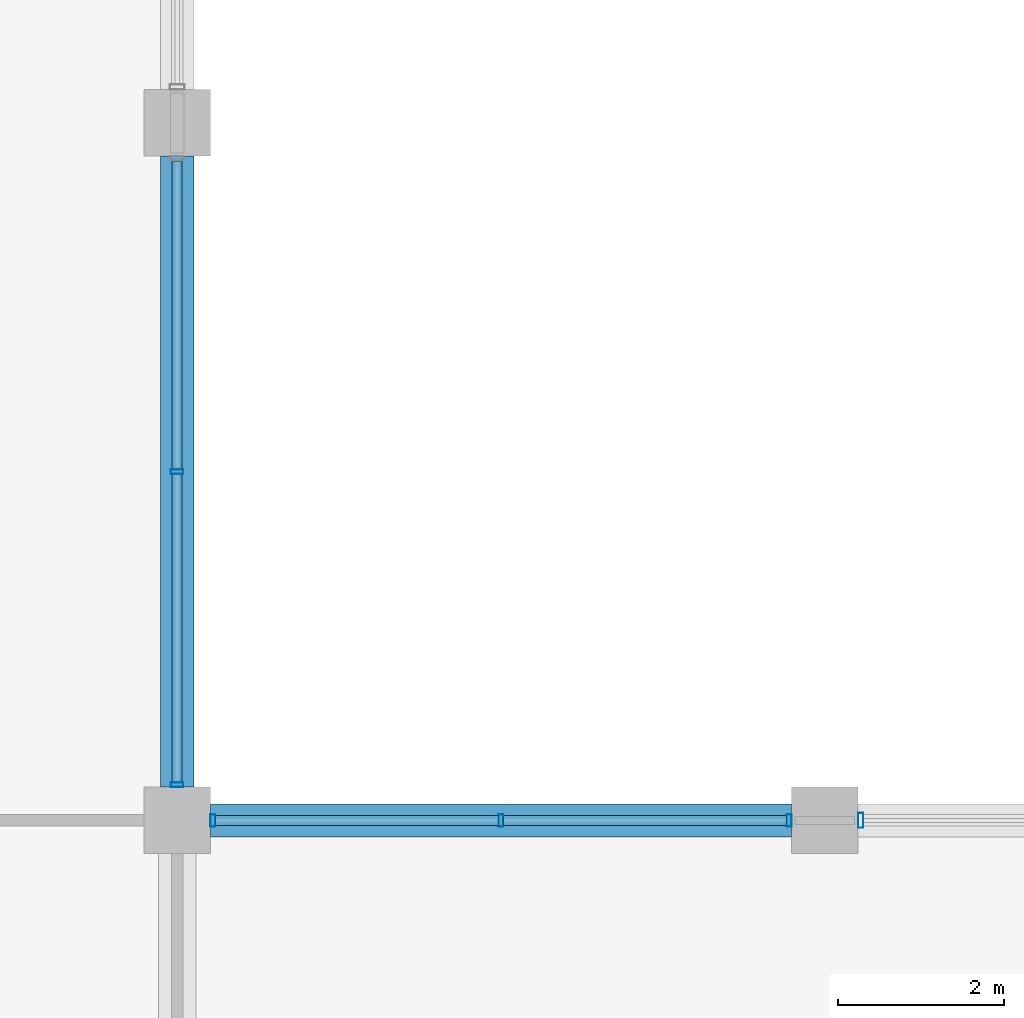
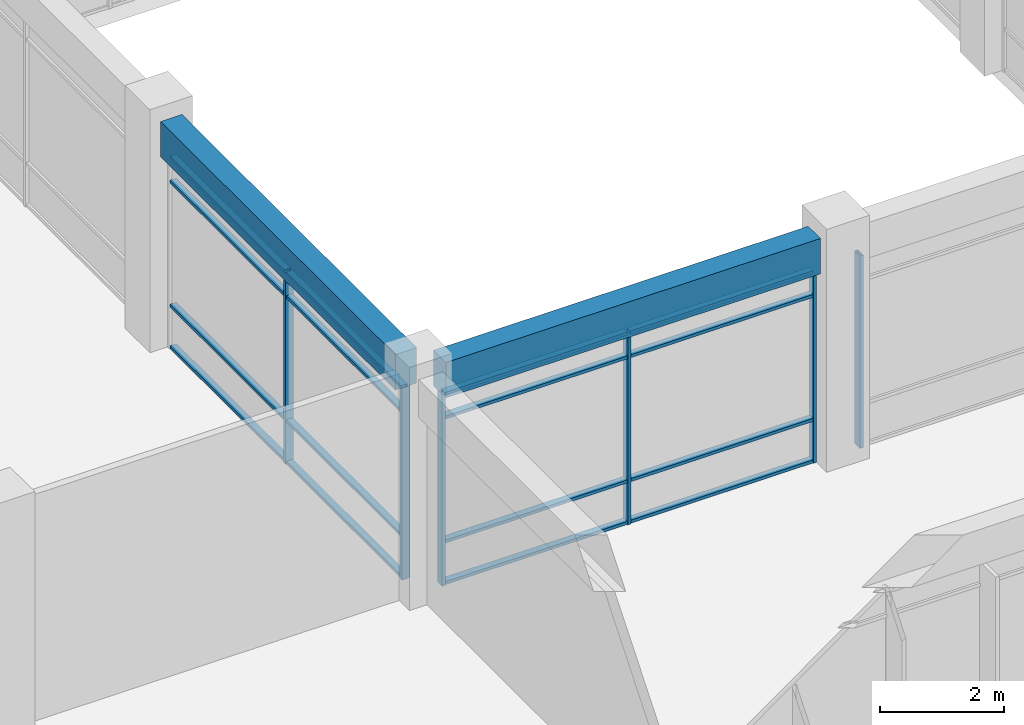
# One storey, part 13 of 62: 22 members, 2 beams, 3 elements without a shape of their own.
"""IFC4 building model written with IfcOpenShell, lengths in metres."""

import ifcopenshell
import ifcopenshell.guid

model = None  # the IFC model being written
_history = None  # IfcOwnerHistory: only IFC2X3 demands one
_inside = {}  # id of a spatial element -> (the spatial element, [elements in it])
_under = {}  # id of a project, library or spatial element -> (it, [spatial elements below it])
_declared = {}  # id of a project -> (the project, [libraries it declares])
_typed = {}  # id of a type object -> (the type object, [elements of that type])
_made_of = {}  # id of a material, layer set ... -> (it, [elements and type objects made of it])


def new_model(schema):
    """Start an empty IFC model of exactly this schema.

    Asked for "IFC4X3", IfcOpenShell would pick the latest addendum, in which some entities
    have other attributes; the version numbers below select the first issue.
    IFC2X3 requires an IfcOwnerHistory on every rooted entity: one is made here for all.
    """
    global model, _history
    if schema == "IFC4X3":
        model = ifcopenshell.file(schema_version=(4, 3, 0, 0))
    else:
        model = ifcopenshell.file(schema=schema)
    _inside.clear()
    _under.clear()
    _declared.clear()
    _typed.clear()
    _made_of.clear()
    _history = None
    if model.schema == "IFC2X3":
        org = make("IfcOrganization", Name="unknown")
        user = make(
            "IfcPersonAndOrganization",
            ThePerson=make("IfcPerson", FamilyName="unknown"),
            TheOrganization=org,
        )
        app = make(
            "IfcApplication",
            ApplicationDeveloper=org,
            Version="unknown",
            ApplicationFullName="unknown",
            ApplicationIdentifier="unknown",
        )
        _history = make(
            "IfcOwnerHistory",
            OwningUser=user,
            OwningApplication=app,
            ChangeAction="ADDED",
            CreationDate=0,
        )
    return model


def make(cls, **values):
    """One entity of the class cls with the attributes given. An attribute that is None is left unset."""
    return model.create_entity(
        cls, **{name: value for name, value in values.items() if value is not None}
    )


def rooted(cls, **values):
    """An entity with a GlobalId (a new one), such as an element, a storey or a relation."""
    return make(cls, GlobalId=ifcopenshell.guid.new(), OwnerHistory=_history, **values)


def si_unit(unit_type, name, prefix=None):
    """IfcSIUnit, for example si_unit("LENGTHUNIT", "METRE", prefix="MILLI")."""
    return make("IfcSIUnit", UnitType=unit_type, Prefix=prefix, Name=name)


def assignment(units):
    """IfcUnitAssignment: the units of a project."""
    return None if units is None else make("IfcUnitAssignment", Units=units)


def point(xyz):
    """IfcCartesianPoint."""
    return None if xyz is None else make("IfcCartesianPoint", Coordinates=xyz)


def direction(xyz):
    """IfcDirection."""
    return None if xyz is None else make("IfcDirection", DirectionRatios=xyz)


def frame(location, z_axis=None, x_axis=None):
    """IfcAxis2Placement3D, a coordinate frame: its origin and axes. An axis left out is left unset."""
    return make(
        "IfcAxis2Placement3D",
        Location=point(location),
        Axis=direction(z_axis),
        RefDirection=direction(x_axis),
    )


def frame_2d(location, x_axis=None):
    """IfcAxis2Placement2D, a coordinate frame in the plane: its origin and x axis."""
    return make(
        "IfcAxis2Placement2D", Location=point(location), RefDirection=direction(x_axis)
    )


def origin():
    """The frame at (0, 0, 0) with its axes left unset."""
    return frame((0.0, 0.0, 0.0))


def origin_2d():
    """The frame at (0, 0) in the plane with its x axis left unset."""
    return frame_2d((0.0, 0.0))


def place(relative_to, where):
    """IfcLocalPlacement: puts the frame where relative to a parent placement (None: the world)."""
    return make(
        "IfcLocalPlacement", PlacementRelTo=relative_to, RelativePlacement=where
    )


def context(
    kind, dimensions, precision=None, world=None, true_north=None, identifier=None
):
    """IfcGeometricRepresentationContext, for example the 3D "Model" context."""
    return make(
        "IfcGeometricRepresentationContext",
        ContextIdentifier=identifier,
        ContextType=kind,
        CoordinateSpaceDimension=dimensions,
        Precision=precision,
        WorldCoordinateSystem=world,
        TrueNorth=true_north,
    )


def subcontext(parent, identifier, kind, view, scale=None):
    """IfcGeometricRepresentationSubContext, for example "Body" below "Model"."""
    return make(
        "IfcGeometricRepresentationSubContext",
        ContextIdentifier=identifier,
        ContextType=kind,
        ParentContext=parent,
        TargetScale=scale,
        TargetView=view,
    )


def project(units=None, contexts=None):
    """IfcProject with its units and contexts."""
    return rooted(
        "IfcProject",
        Name="project",
        RepresentationContexts=contexts,
        UnitsInContext=assignment(units),
    )


def spatial(cls, under=None, at=None, **own):
    """A site, building, storey or space (cls), placed at a placement, below another one or the project."""
    s = rooted(cls, ObjectPlacement=at, **own)
    if under is not None:
        _under.setdefault(under.id(), (under, []))[1].append(s)
    return s


def profile(cls, at=None, kind="AREA", **sizes):
    """A parametric profile (cls). Its sizes go by their IFC names, for example OverallWidth=200.0."""
    return make(cls, ProfileType=kind, Position=at, **sizes)


def rectangle(**sizes):
    """IfcRectangleProfileDef."""
    return profile("IfcRectangleProfileDef", **sizes)


def hollow_rectangle(**sizes):
    """IfcRectangleHollowProfileDef."""
    return profile("IfcRectangleHollowProfileDef", **sizes)


def extrude(swept, where, along, depth):
    """IfcExtrudedAreaSolid: the profile swept, set in the frame where, extruded along a direction by depth."""
    return make(
        "IfcExtrudedAreaSolid",
        SweptArea=swept,
        Position=where,
        ExtrudedDirection=direction(along),
        Depth=depth,
    )


def shape(context_of_items, identifier, shape_type, items):
    """IfcShapeRepresentation: the items that make up one representation, for example the "Body"."""
    return make(
        "IfcShapeRepresentation",
        ContextOfItems=context_of_items,
        RepresentationIdentifier=identifier,
        RepresentationType=shape_type,
        Items=items,
    )


def material(Name=None, Category=None):
    """IfcMaterial."""
    return make("IfcMaterial", Name=Name, Category=Category)


def material_profile(
    of_material, cross_section, Name=None, Category=None, Priority=None
):
    """IfcMaterialProfile: a cross section and its material."""
    return make(
        "IfcMaterialProfile",
        Name=Name,
        Material=of_material,
        Profile=cross_section,
        Priority=Priority,
        Category=Category,
    )


def profile_set(profiles, Name=None, composite=None):
    """IfcMaterialProfileSet."""
    return make(
        "IfcMaterialProfileSet",
        Name=Name,
        MaterialProfiles=profiles,
        CompositeProfile=composite,
    )


def made_of(thing, what):
    """Note that an element or type object is made of a material, layer set ...; save() writes the relation."""
    if what is not None:
        _made_of.setdefault(what.id(), (what, []))[1].append(thing)
    return thing


def type_object(cls, material=None, **own):
    """A type object (cls), such as IfcWallType, which elements share."""
    return made_of(rooted(cls, **own), material)


def element(
    cls,
    number,
    at=None,
    inside=None,
    cuts=None,
    type_object=None,
    material=None,
    context=None,
    identifier="Body",
    shape_type=None,
    held_by="IfcProductDefinitionShape",
    body=None,
    shapes=None,
    **own,
):
    """One element of the class cls, such as IfcWall. Its Tag is "e" and its number.

    at: its placement. inside: the storey or other place that contains it. cuts: it is an
    opening in that element (IfcRelVoidsElement). A single representation is given by context,
    identifier, shape_type and body (its items); several are given by shapes. held_by: the class
    of the entity that holds the representations. save() writes the other relations.
    """
    e = rooted(cls, Tag="e%d" % number, ObjectPlacement=at, **own)
    if body is not None:
        shapes = [shape(context, identifier, shape_type, body)]
    if shapes is not None:
        e.Representation = make(held_by, Representations=shapes)
    if inside is not None:
        _inside.setdefault(inside.id(), (inside, []))[1].append(e)
    if cuts is not None:
        rooted(
            "IfcRelVoidsElement", RelatingBuildingElement=cuts, RelatedOpeningElement=e
        )
    if type_object is not None:
        _typed.setdefault(type_object.id(), (type_object, []))[1].append(e)
    return made_of(e, material)


def aggregate(whole, parts):
    """IfcRelAggregates: a whole, such as a stair, and the parts it consists of."""
    return rooted("IfcRelAggregates", RelatingObject=whole, RelatedObjects=parts)


def save(model, path):
    """Write the relations noted so far, then the file.

    IfcRelAggregates (storeys below a building ...), IfcRelContainedInSpatialStructure (elements
    in a storey), IfcRelDefinesByType, IfcRelAssociatesMaterial and IfcRelDeclares: one each for
    every whole, place, type object, material and project.
    """
    for whole, parts in _under.values():
        aggregate(whole, parts)
    for where, things in _inside.values():
        rooted(
            "IfcRelContainedInSpatialStructure",
            RelatedElements=things,
            RelatingStructure=where,
        )
    for kind, things in _typed.values():
        rooted("IfcRelDefinesByType", RelatedObjects=things, RelatingType=kind)
    for what, things in _made_of.values():
        rooted("IfcRelAssociatesMaterial", RelatedObjects=things, RelatingMaterial=what)
    for by, libraries in _declared.values():
        rooted("IfcRelDeclares", RelatingContext=by, RelatedDefinitions=libraries)
    model.write(path)


model = new_model("IFC4")

# Units and contexts
model_context = context("Model", 3, precision=1e-05, world=origin(), true_north=direction((0.0, 1.0)))
body_context = subcontext(model_context, "Body", "Model", "MODEL_VIEW")
ifc_project = project(units=[si_unit("LENGTHUNIT", "METRE"), si_unit("AREAUNIT", "SQUARE_METRE"), si_unit("VOLUMEUNIT", "CUBIC_METRE"), si_unit("PLANEANGLEUNIT", "RADIAN"), si_unit("MASSUNIT", "GRAM", prefix="KILO"), si_unit("THERMODYNAMICTEMPERATUREUNIT", "KELVIN"), si_unit("POWERUNIT", "WATT")], contexts=[model_context])

# Site, building, storey
site_placement = place(None, origin())
site = spatial("IfcSite", under=ifc_project, at=site_placement, CompositionType="ELEMENT")
building_placement = place(site_placement, origin())
building = spatial("IfcBuilding", under=site, at=building_placement, Name="Srebrne Nadtorze General Hospital", CompositionType="ELEMENT")
storey_placement = place(building_placement, frame((0.0, 0.0, 9.60009765625)))
storey = spatial("IfcBuildingStorey", under=building, at=storey_placement, Name="L02", CompositionType="ELEMENT", Elevation=9.60009765625)

# Curtain wall, members
ifc_material_1 = material(Name="Anodised Aluminium", Category="aluminium")
curtain_wall_type_1 = type_object("IfcCurtainWallType", Name="Unitised curtain wall 7000x3800", PredefinedType="NOTDEFINED", material=ifc_material_1)
curtain_wall_1_placement = place(storey_placement, origin())
curtain_wall_1 = element("IfcCurtainWall", 1, at=curtain_wall_1_placement, inside=storey, type_object=curtain_wall_type_1, Name="Curtain wall CW-072", PredefinedType="NOTDEFINED")
ifc_material_2 = material(Name="Anodised Aluminium", Category="aluminium")
ifc_material_profile_1 = material_profile(ifc_material_2, hollow_rectangle(XDim=0.06005859375, YDim=0.14990234375, WallThickness=0.00390625, at=origin_2d()), Name="AL-MUL-60x150")
ifc_profile_set_1 = profile_set([ifc_material_profile_1], Name="Anodised Aluminium")
member_type_1 = type_object("IfcMemberType", Name="Curtain mullion 60x150", PredefinedType="MULLION", material=ifc_profile_set_1)
member_1_placement = place(storey_placement, frame((117.429931640625, 8.39990234375, 0.0), z_axis=(0.0, 0.0, 1.0), x_axis=(1.0, 0.0, 0.0)))
member_1 = element("IfcMember", 2, at=member_1_placement, type_object=member_type_1, Name="CW-072 mullion 1", PredefinedType="MULLION", context=body_context, shape_type="SweptSolid", body=[
    extrude(hollow_rectangle(XDim=0.06005859375, YDim=0.14990234375, WallThickness=0.00390625, at=origin_2d()), origin(), (0.0, 0.0, 1.0), 3.7998046875),
])
member_2_placement = place(storey_placement, frame((120.89990234375, 8.39990234375, 0.0), z_axis=(0.0, 0.0, 1.0), x_axis=(1.0, 0.0, 0.0)))
member_2 = element("IfcMember", 3, at=member_2_placement, type_object=member_type_1, Name="CW-072 mullion 2", PredefinedType="MULLION", context=body_context, shape_type="SweptSolid", body=[
    extrude(hollow_rectangle(XDim=0.06005859375, YDim=0.14990234375, WallThickness=0.00390625, at=origin_2d()), origin(), (0.0, 0.0, 1.0), 3.7998046875),
])
member_3_placement = place(storey_placement, frame((124.3701171875, 8.39990234375, 0.0), z_axis=(0.0, 0.0, 1.0), x_axis=(1.0, 0.0, 0.0)))
member_3 = element("IfcMember", 4, at=member_3_placement, type_object=member_type_1, Name="CW-072 mullion 3", PredefinedType="MULLION", context=body_context, shape_type="SweptSolid", body=[
    extrude(hollow_rectangle(XDim=0.06005859375, YDim=0.14990234375, WallThickness=0.00390625, at=origin_2d()), origin(), (0.0, 0.0, 1.0), 3.7998046875),
])

ifc_material_3 = material(Name="Anodised Aluminium", Category="aluminium")
curtain_wall_type_2 = type_object("IfcCurtainWallType", Name="Unitised curtain wall 7600x3800", PredefinedType="NOTDEFINED", material=ifc_material_3)
curtain_wall_2_placement = place(storey_placement, origin())
curtain_wall_2 = element("IfcCurtainWall", 5, at=curtain_wall_2_placement, inside=storey, type_object=curtain_wall_type_2, Name="Curtain wall CW-086", PredefinedType="NOTDEFINED")
member_4_placement = place(storey_placement, frame((117.0, 8.830078125, 0.0), z_axis=(0.0, 0.0, 1.0), x_axis=(0.0, 1.0, 0.0)))
member_4 = element("IfcMember", 6, at=member_4_placement, type_object=member_type_1, Name="CW-086 mullion 1", PredefinedType="MULLION", context=body_context, shape_type="SweptSolid", body=[
    extrude(hollow_rectangle(XDim=0.06005859375, YDim=0.14990234375, WallThickness=0.00390625, at=origin_2d()), origin(), (0.0, 0.0, 1.0), 3.7998046875),
])
member_5_placement = place(storey_placement, frame((117.0, 12.60009765625, 0.0), z_axis=(0.0, 0.0, 1.0), x_axis=(0.0, 1.0, 0.0)))
member_5 = element("IfcMember", 7, at=member_5_placement, type_object=member_type_1, Name="CW-086 mullion 2", PredefinedType="MULLION", context=body_context, shape_type="SweptSolid", body=[
    extrude(hollow_rectangle(XDim=0.06005859375, YDim=0.14990234375, WallThickness=0.00390625, at=origin_2d()), origin(), (0.0, 0.0, 1.0), 3.7998046875),
])

# Curtain wall, member
curtain_wall_3_placement = place(storey_placement, origin())
curtain_wall_3 = element("IfcCurtainWall", 8, at=curtain_wall_3_placement, inside=storey, type_object=curtain_wall_type_1, Name="Curtain wall CW-073", PredefinedType="NOTDEFINED")
ifc_material_4 = material(Name="Anodised Aluminium", Category="aluminium")
ifc_material_profile_2 = material_profile(ifc_material_4, hollow_rectangle(XDim=0.06494140625, YDim=0.179931640625, WallThickness=0.00390625, at=origin_2d()), Name="AL-MUL-65x180")
ifc_profile_set_2 = profile_set([ifc_material_profile_2], Name="Anodised Aluminium")
member_type_2 = type_object("IfcMemberType", Name="Curtain mullion 65x180", PredefinedType="MULLION", material=ifc_profile_set_2)
member_6_placement = place(storey_placement, frame((125.232421875, 8.39990234375, 0.0), z_axis=(0.0, 0.0, 1.0), x_axis=(1.0, 0.0, 0.0)))
member_6 = element("IfcMember", 9, at=member_6_placement, type_object=member_type_2, Name="CW-073 mullion 1", PredefinedType="MULLION", context=body_context, shape_type="SweptSolid", body=[
    extrude(hollow_rectangle(XDim=0.06494140625, YDim=0.179931640625, WallThickness=0.00390625, at=origin_2d()), origin(), (0.0, 0.0, 1.0), 3.7998046875),
])
aggregate(curtain_wall_3, [member_6])

# Member
ifc_material_5 = material(Name="Anodised Aluminium", Category="aluminium")
ifc_material_profile_3 = material_profile(ifc_material_5, hollow_rectangle(XDim=0.06005859375, YDim=0.1201171875, WallThickness=0.00390625, at=origin_2d()), Name="AL-TRN-60x120")
ifc_profile_set_3 = profile_set([ifc_material_profile_3], Name="Anodised Aluminium")
member_type_3 = type_object("IfcMemberType", Name="Curtain transom 60x120", PredefinedType="USERDEFINED", material=ifc_profile_set_3)
member_7_placement = place(storey_placement, frame((117.4599609375, 8.39990234375, 0.02978515625), z_axis=(1.0, 0.0, 0.0), x_axis=(0.0, 0.0, 1.0)))
member_7 = element("IfcMember", 10, at=member_7_placement, type_object=member_type_3, Name="CW-072 transom 1.1", ObjectType="TRANSOM", PredefinedType="USERDEFINED", context=body_context, shape_type="SweptSolid", body=[
    extrude(hollow_rectangle(XDim=0.06005859375, YDim=0.1201171875, WallThickness=0.00390625, at=origin_2d()), origin(), (0.0, 0.0, 1.0), 3.41015625),
])

member_8_placement = place(storey_placement, frame((117.4599609375, 8.39990234375, 0.849853515625), z_axis=(1.0, 0.0, 0.0), x_axis=(0.0, 0.0, 1.0)))
member_8 = element("IfcMember", 11, at=member_8_placement, type_object=member_type_3, Name="CW-072 transom 1.2", ObjectType="TRANSOM", PredefinedType="USERDEFINED", context=body_context, shape_type="SweptSolid", body=[
    extrude(hollow_rectangle(XDim=0.06005859375, YDim=0.1201171875, WallThickness=0.00390625, at=origin_2d()), origin(), (0.0, 0.0, 1.0), 3.41015625),
])

member_9_placement = place(storey_placement, frame((117.4599609375, 8.39990234375, 3.2998046875), z_axis=(1.0, 0.0, 0.0), x_axis=(0.0, 0.0, 1.0)))
member_9 = element("IfcMember", 12, at=member_9_placement, type_object=member_type_3, Name="CW-072 transom 1.3", ObjectType="TRANSOM", PredefinedType="USERDEFINED", context=body_context, shape_type="SweptSolid", body=[
    extrude(hollow_rectangle(XDim=0.06005859375, YDim=0.1201171875, WallThickness=0.00390625, at=origin_2d()), origin(), (0.0, 0.0, 1.0), 3.41015625),
])

member_10_placement = place(storey_placement, frame((117.4599609375, 8.39990234375, 3.77001953125), z_axis=(1.0, 0.0, 0.0), x_axis=(0.0, 0.0, 1.0)))
member_10 = element("IfcMember", 13, at=member_10_placement, type_object=member_type_3, Name="CW-072 transom 1.4", ObjectType="TRANSOM", PredefinedType="USERDEFINED", context=body_context, shape_type="SweptSolid", body=[
    extrude(hollow_rectangle(XDim=0.06005859375, YDim=0.1201171875, WallThickness=0.00390625, at=origin_2d()), origin(), (0.0, 0.0, 1.0), 3.41015625),
])

member_11_placement = place(storey_placement, frame((120.929931640625, 8.39990234375, 0.02978515625), z_axis=(1.0, 0.0, 0.0), x_axis=(0.0, 0.0, 1.0)))
member_11 = element("IfcMember", 14, at=member_11_placement, type_object=member_type_3, Name="CW-072 transom 2.1", ObjectType="TRANSOM", PredefinedType="USERDEFINED", context=body_context, shape_type="SweptSolid", body=[
    extrude(hollow_rectangle(XDim=0.06005859375, YDim=0.1201171875, WallThickness=0.00390625, at=origin_2d()), origin(), (0.0, 0.0, 1.0), 3.41015625),
])

member_12_placement = place(storey_placement, frame((120.929931640625, 8.39990234375, 0.849853515625), z_axis=(1.0, 0.0, 0.0), x_axis=(0.0, 0.0, 1.0)))
member_12 = element("IfcMember", 15, at=member_12_placement, type_object=member_type_3, Name="CW-072 transom 2.2", ObjectType="TRANSOM", PredefinedType="USERDEFINED", context=body_context, shape_type="SweptSolid", body=[
    extrude(hollow_rectangle(XDim=0.06005859375, YDim=0.1201171875, WallThickness=0.00390625, at=origin_2d()), origin(), (0.0, 0.0, 1.0), 3.41015625),
])

member_13_placement = place(storey_placement, frame((120.929931640625, 8.39990234375, 3.2998046875), z_axis=(1.0, 0.0, 0.0), x_axis=(0.0, 0.0, 1.0)))
member_13 = element("IfcMember", 16, at=member_13_placement, type_object=member_type_3, Name="CW-072 transom 2.3", ObjectType="TRANSOM", PredefinedType="USERDEFINED", context=body_context, shape_type="SweptSolid", body=[
    extrude(hollow_rectangle(XDim=0.06005859375, YDim=0.1201171875, WallThickness=0.00390625, at=origin_2d()), origin(), (0.0, 0.0, 1.0), 3.41015625),
])

member_14_placement = place(storey_placement, frame((120.929931640625, 8.39990234375, 3.77001953125), z_axis=(1.0, 0.0, 0.0), x_axis=(0.0, 0.0, 1.0)))
member_14 = element("IfcMember", 17, at=member_14_placement, type_object=member_type_3, Name="CW-072 transom 2.4", ObjectType="TRANSOM", PredefinedType="USERDEFINED", context=body_context, shape_type="SweptSolid", body=[
    extrude(hollow_rectangle(XDim=0.06005859375, YDim=0.1201171875, WallThickness=0.00390625, at=origin_2d()), origin(), (0.0, 0.0, 1.0), 3.41015625),
])

aggregate(curtain_wall_1, [member_1, member_2, member_3, member_7, member_8, member_9, member_10, member_11, member_12, member_13, member_14])

member_15_placement = place(storey_placement, frame((117.0, 8.860107421875, 0.02978515625), z_axis=(0.0, 1.0, 0.0), x_axis=(0.0, 0.0, 1.0)))
member_15 = element("IfcMember", 18, at=member_15_placement, type_object=member_type_3, Name="CW-086 transom 1.1", ObjectType="TRANSOM", PredefinedType="USERDEFINED", context=body_context, shape_type="SweptSolid", body=[
    extrude(hollow_rectangle(XDim=0.06005859375, YDim=0.1201171875, WallThickness=0.00390625, at=origin_2d()), origin(), (0.0, 0.0, 1.0), 3.7099609375),
])

member_16_placement = place(storey_placement, frame((117.0, 8.860107421875, 0.849853515625), z_axis=(0.0, 1.0, 0.0), x_axis=(0.0, 0.0, 1.0)))
member_16 = element("IfcMember", 19, at=member_16_placement, type_object=member_type_3, Name="CW-086 transom 1.2", ObjectType="TRANSOM", PredefinedType="USERDEFINED", context=body_context, shape_type="SweptSolid", body=[
    extrude(hollow_rectangle(XDim=0.06005859375, YDim=0.1201171875, WallThickness=0.00390625, at=origin_2d()), origin(), (0.0, 0.0, 1.0), 3.7099609375),
])

member_17_placement = place(storey_placement, frame((117.0, 8.860107421875, 3.2998046875), z_axis=(0.0, 1.0, 0.0), x_axis=(0.0, 0.0, 1.0)))
member_17 = element("IfcMember", 20, at=member_17_placement, type_object=member_type_3, Name="CW-086 transom 1.3", ObjectType="TRANSOM", PredefinedType="USERDEFINED", context=body_context, shape_type="SweptSolid", body=[
    extrude(hollow_rectangle(XDim=0.06005859375, YDim=0.1201171875, WallThickness=0.00390625, at=origin_2d()), origin(), (0.0, 0.0, 1.0), 3.7099609375),
])

member_18_placement = place(storey_placement, frame((117.0, 8.860107421875, 3.77001953125), z_axis=(0.0, 1.0, 0.0), x_axis=(0.0, 0.0, 1.0)))
member_18 = element("IfcMember", 21, at=member_18_placement, type_object=member_type_3, Name="CW-086 transom 1.4", ObjectType="TRANSOM", PredefinedType="USERDEFINED", context=body_context, shape_type="SweptSolid", body=[
    extrude(hollow_rectangle(XDim=0.06005859375, YDim=0.1201171875, WallThickness=0.00390625, at=origin_2d()), origin(), (0.0, 0.0, 1.0), 3.7099609375),
])

member_19_placement = place(storey_placement, frame((117.0, 12.6298828125, 0.02978515625), z_axis=(0.0, 1.0, 0.0), x_axis=(0.0, 0.0, 1.0)))
member_19 = element("IfcMember", 22, at=member_19_placement, type_object=member_type_3, Name="CW-086 transom 2.1", ObjectType="TRANSOM", PredefinedType="USERDEFINED", context=body_context, shape_type="SweptSolid", body=[
    extrude(hollow_rectangle(XDim=0.06005859375, YDim=0.1201171875, WallThickness=0.00390625, at=origin_2d()), origin(), (0.0, 0.0, 1.0), 3.710205078125),
])

member_20_placement = place(storey_placement, frame((117.0, 12.6298828125, 0.849853515625), z_axis=(0.0, 1.0, 0.0), x_axis=(0.0, 0.0, 1.0)))
member_20 = element("IfcMember", 23, at=member_20_placement, type_object=member_type_3, Name="CW-086 transom 2.2", ObjectType="TRANSOM", PredefinedType="USERDEFINED", context=body_context, shape_type="SweptSolid", body=[
    extrude(hollow_rectangle(XDim=0.06005859375, YDim=0.1201171875, WallThickness=0.00390625, at=origin_2d()), origin(), (0.0, 0.0, 1.0), 3.710205078125),
])

member_21_placement = place(storey_placement, frame((117.0, 12.6298828125, 3.2998046875), z_axis=(0.0, 1.0, 0.0), x_axis=(0.0, 0.0, 1.0)))
member_21 = element("IfcMember", 24, at=member_21_placement, type_object=member_type_3, Name="CW-086 transom 2.3", ObjectType="TRANSOM", PredefinedType="USERDEFINED", context=body_context, shape_type="SweptSolid", body=[
    extrude(hollow_rectangle(XDim=0.06005859375, YDim=0.1201171875, WallThickness=0.00390625, at=origin_2d()), origin(), (0.0, 0.0, 1.0), 3.710205078125),
])

member_22_placement = place(storey_placement, frame((117.0, 12.6298828125, 3.77001953125), z_axis=(0.0, 1.0, 0.0), x_axis=(0.0, 0.0, 1.0)))
member_22 = element("IfcMember", 25, at=member_22_placement, type_object=member_type_3, Name="CW-086 transom 2.4", ObjectType="TRANSOM", PredefinedType="USERDEFINED", context=body_context, shape_type="SweptSolid", body=[
    extrude(hollow_rectangle(XDim=0.06005859375, YDim=0.1201171875, WallThickness=0.00390625, at=origin_2d()), origin(), (0.0, 0.0, 1.0), 3.710205078125),
])

aggregate(curtain_wall_2, [member_4, member_5, member_15, member_16, member_17, member_18, member_19, member_20, member_21, member_22])

# Beams
ifc_material_6 = material(Name="Concrete C40/50", Category="concrete")
ifc_material_profile_4 = material_profile(ifc_material_6, rectangle(XDim=0.39990234375, YDim=0.699951171875, at=origin_2d()), Name="RC-BM-400x700")
ifc_profile_set_4 = profile_set([ifc_material_profile_4], Name="Concrete C40/50")
beam_type = type_object("IfcBeamType", Name="Edge beam RC 400x700", PredefinedType="BEAM", material=ifc_profile_set_4)
beam_1_placement = place(storey_placement, frame((117.39990234375, 8.39990234375, 4.14990234375), z_axis=(1.0, 0.0, 0.0), x_axis=(0.0, 1.0, 0.0)))
element("IfcBeam", 26, at=beam_1_placement, inside=storey, type_object=beam_type, Name="Beam BM-L02-X-0563", PredefinedType="BEAM", context=body_context, shape_type="SweptSolid", body=[
    extrude(rectangle(XDim=0.39990234375, YDim=0.699951171875, at=origin_2d()), origin(), (0.0, 0.0, 1.0), 7.0),
])
beam_2_placement = place(storey_placement, frame((117.0, 8.800048828125, 4.14990234375), z_axis=(0.0, 1.0, 0.0), x_axis=(-1.0, 0.0, 0.0)))
element("IfcBeam", 27, at=beam_2_placement, inside=storey, type_object=beam_type, Name="Beam BM-L02-Y-0681", PredefinedType="BEAM", context=body_context, shape_type="SweptSolid", body=[
    extrude(rectangle(XDim=0.39990234375, YDim=0.699951171875, at=origin_2d()), origin(), (0.0, 0.0, 1.0), 7.599853515625),
])

save(model, "model.ifc")
